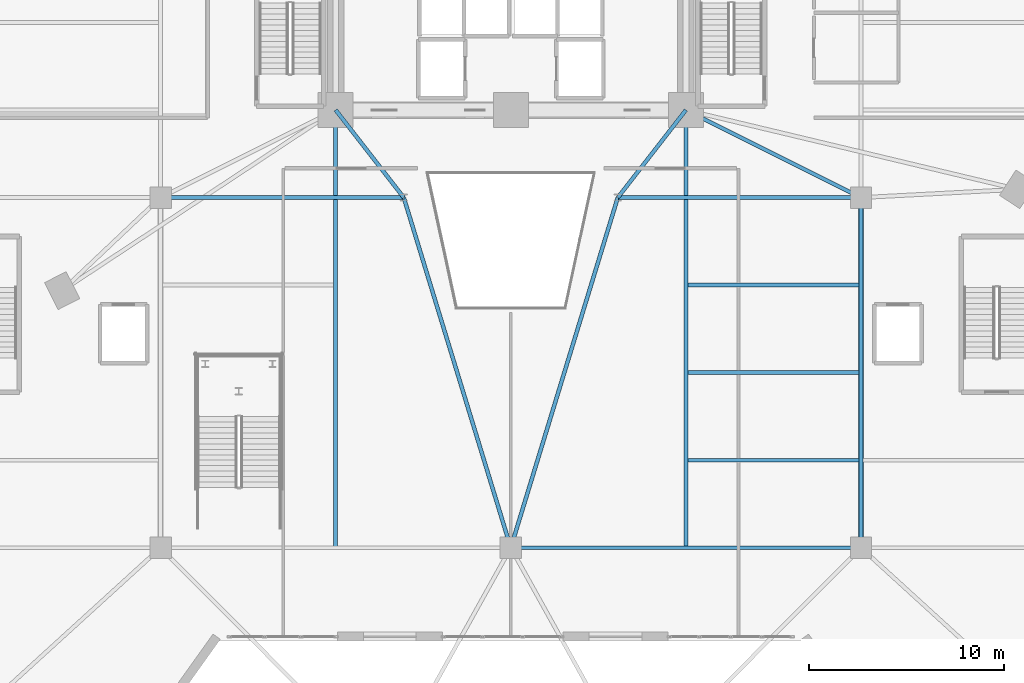
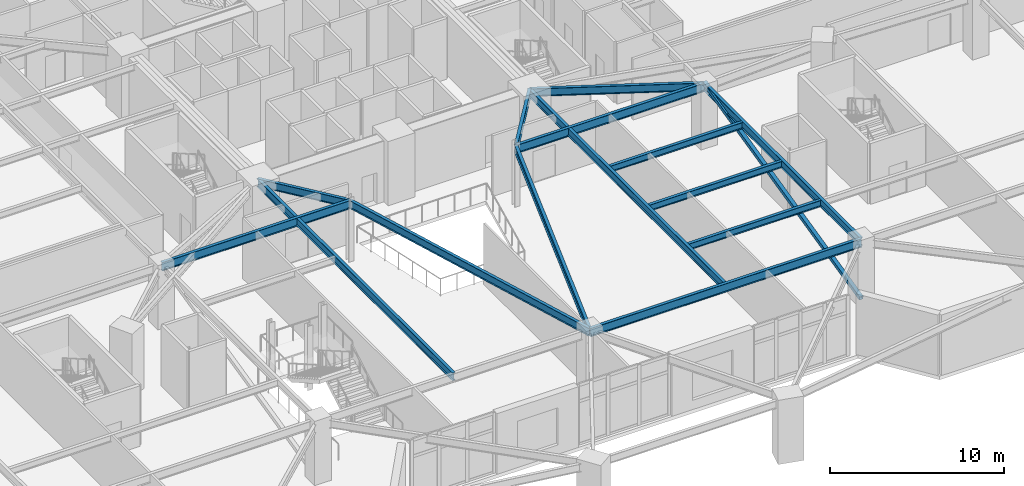
# One storey, part 11 of 29: 14 beams, 1 member.
"""IFC4 building model written with IfcOpenShell, lengths in metres."""

from ifc_helpers import new_model, si_unit, direction, frame, origin, origin_2d, place, context, subcontext, project, spatial, hollow_rectangle, i_section, extrude, source, transform, mapped, material, material_profile, profile_set, type_object, element, save


model = new_model("IFC4")

# Units and contexts
model_context = context("Model", 3, precision=1e-05, world=origin(), true_north=direction((0.0, 1.0)))
body_context = subcontext(model_context, "Body", "Model", "MODEL_VIEW")
ifc_project = project(units=[si_unit("LENGTHUNIT", "METRE"), si_unit("AREAUNIT", "SQUARE_METRE"), si_unit("VOLUMEUNIT", "CUBIC_METRE"), si_unit("PLANEANGLEUNIT", "RADIAN"), si_unit("MASSUNIT", "GRAM", prefix="KILO")], contexts=[model_context])

# Site, building, storey
site_placement = place(None, origin())
site = spatial("IfcSite", under=ifc_project, at=site_placement, CompositionType="ELEMENT")
building_placement = place(site_placement, origin())
building = spatial("IfcBuilding", under=site, at=building_placement, Name="Liaohun Quay Tower", CompositionType="ELEMENT")
storey_placement = place(building_placement, frame((0.0, 0.0, 5.39990234375)))
storey = spatial("IfcBuildingStorey", under=building, at=storey_placement, Name="L02", CompositionType="ELEMENT", Elevation=5.39990234375)

# Beams
ifc_material = material(Name="Steel Q355D", Category="steel")
ifc_material_profile_1 = material_profile(ifc_material, i_section(OverallWidth=0.199951171875, OverallDepth=0.449951171875, WebThickness=0.009033203125, FlangeThickness=0.013916015625, at=origin_2d()), Name="HN450x200x9x14")
ifc_profile_set_1 = profile_set([ifc_material_profile_1], Name="Steel Q355D")
beam_type_1 = type_object("IfcBeamType", Name="BM-SEC-J1", PredefinedType="JOIST", material=ifc_profile_set_1)
shared_shape_1 = source(origin(), body_context, "Body", "SweptSolid", [
    extrude(i_section(OverallWidth=0.199951171875, OverallDepth=0.449951171875, WebThickness=0.009033203125, FlangeThickness=0.013916015625, at=origin_2d()), origin(), (0.0, 0.0, 1.0), 8.7998046875),
])
for number, where, z_axis, x_axis, name in (
    (1, (69.10009765625, 28.5, 4.025146484375), (1.0, 0.0, 0.0), (0.0, 1.0, 0.0), "L02 Composite Floor Joist SJ-23"),
    (2, (69.10009765625, 33.0, 4.025146484375), (1.0, 0.0, 0.0), (0.0, 1.0, 0.0), "L02 Composite Floor Joist SJ-24"),
    (3, (69.10009765625, 37.5, 4.025146484375), (1.0, 0.0, 0.0), (0.0, 1.0, 0.0), "L02 Composite Floor Joist SJ-25"),
):
    element("IfcBeam", number, at=place(storey_placement, frame(where, z_axis=z_axis, x_axis=x_axis)), inside=storey, type_object=beam_type_1, Name=name, PredefinedType="JOIST", context=body_context, shape_type="MappedRepresentation", body=[
        mapped(shared_shape_1, transform((0.0, 0.0, 0.0), x_axis=(1.0, 0.0, 0.0), y_axis=(0.0, 1.0, 0.0), z_axis=(0.0, 0.0, 1.0), scale=1.0)),
    ])
ifc_material_profile_2 = material_profile(ifc_material, i_section(OverallWidth=0.199951171875, OverallDepth=0.60009765625, WebThickness=0.010986328125, FlangeThickness=0.01708984375, at=origin_2d()), Name="HN600x200x11x17")
ifc_profile_set_2 = profile_set([ifc_material_profile_2], Name="Steel Q355D")
beam_type_2 = type_object("IfcBeamType", Name="BM-POD-G1", PredefinedType="BEAM", material=ifc_profile_set_2)
shared_shape_2 = source(origin(), body_context, "Body", "SweptSolid", [
    extrude(i_section(OverallWidth=0.199951171875, OverallDepth=0.60009765625, WebThickness=0.010986328125, FlangeThickness=0.01708984375, at=origin_2d()), origin(), (0.0, 0.0, 1.0), 18.0),
])
beam_1_placement = place(storey_placement, frame((60.0, 24.0, 3.9501953125), z_axis=(1.0, 0.0, 0.0), x_axis=(0.0, 1.0, 0.0)))
element("IfcBeam", 4, at=beam_1_placement, inside=storey, type_object=beam_type_2, Name="L02 Primary Grid Girder PG03-PG04", PredefinedType="BEAM", context=body_context, shape_type="MappedRepresentation", body=[
    mapped(shared_shape_2, transform((0.0, 0.0, 0.0), x_axis=(1.0, 0.0, 0.0), y_axis=(0.0, 1.0, 0.0), z_axis=(0.0, 0.0, 1.0), scale=1.0)),
])
shared_shape_3 = source(origin(), body_context, "Body", "SweptSolid", [
    extrude(i_section(OverallWidth=0.199951171875, OverallDepth=0.60009765625, WebThickness=0.010986328125, FlangeThickness=0.01708984375, at=origin_2d()), origin(), (0.0, 0.0, 1.0), 12.5),
])
for number, where, z_axis, x_axis, name in (
    (5, (42.0, 42.0, 3.9501953125), (1.0, 0.0, 0.0), (0.0, 1.0, 0.0), "L02 Primary Grid Girder PG07-AT1"),
    (6, (65.5, 42.0, 3.9501953125), (1.0, 0.0, 0.0), (0.0, 1.0, 0.0), "L02 Primary Grid Girder AT2-PG08"),
):
    element("IfcBeam", number, at=place(storey_placement, frame(where, z_axis=z_axis, x_axis=x_axis)), inside=storey, type_object=beam_type_2, Name=name, PredefinedType="BEAM", context=body_context, shape_type="MappedRepresentation", body=[
        mapped(shared_shape_3, transform((0.0, 0.0, 0.0), x_axis=(1.0, 0.0, 0.0), y_axis=(0.0, 1.0, 0.0), z_axis=(0.0, 0.0, 1.0), scale=1.0)),
    ])
ifc_material_profile_3 = material_profile(ifc_material, i_section(OverallWidth=0.199951171875, OverallDepth=0.550048828125, WebThickness=0.010009765625, FlangeThickness=0.01611328125, at=origin_2d()), Name="HN550x200x10x16")
ifc_profile_set_3 = profile_set([ifc_material_profile_3], Name="Steel Q355D")
beam_type_3 = type_object("IfcBeamType", Name="BM-POD-G2", PredefinedType="BEAM", material=ifc_profile_set_3)
shared_shape_4 = source(origin(), body_context, "Body", "SweptSolid", [
    extrude(i_section(OverallWidth=0.199951171875, OverallDepth=0.550048828125, WebThickness=0.010009765625, FlangeThickness=0.01611328125, at=origin_2d()), origin(), (0.0, 0.0, 1.0), 18.0),
])
beam_2_placement = place(storey_placement, frame((78.0, 24.0, 3.97509765625), z_axis=(0.0, 1.0, 0.0), x_axis=(-1.0, 0.0, 0.0)))
element("IfcBeam", 7, at=beam_2_placement, inside=storey, type_object=beam_type_3, Name="L02 Primary Grid Girder PG04-PG08", PredefinedType="BEAM", context=body_context, shape_type="MappedRepresentation", body=[
    mapped(shared_shape_4, transform((0.0, 0.0, 0.0), x_axis=(1.0, 0.0, 0.0), y_axis=(0.0, 1.0, 0.0), z_axis=(0.0, 0.0, 1.0), scale=1.0)),
])
shared_shape_5 = source(origin(), body_context, "Body", "SweptSolid", [
    extrude(i_section(OverallWidth=0.199951171875, OverallDepth=0.550048828125, WebThickness=0.010009765625, FlangeThickness=0.01611328125, at=origin_2d()), origin(), (0.0, 0.0, 1.0), 10.062255859375),
])
beam_3_placement = place(storey_placement, frame((78.0, 42.0, 3.97509765625), z_axis=(-0.894427191, 0.4472135955, 0.0), x_axis=(-0.4472135955, -0.894427191, 0.0)))
element("IfcBeam", 8, at=beam_3_placement, inside=storey, type_object=beam_type_3, Name="L02 Primary Grid Girder PG08-CC3", PredefinedType="BEAM", context=body_context, shape_type="MappedRepresentation", body=[
    mapped(shared_shape_5, transform((0.0, 0.0, 0.0), x_axis=(1.0, 0.0, 0.0), y_axis=(0.0, 1.0, 0.0), z_axis=(0.0, 0.0, 1.0), scale=1.0)),
])
shared_shape_6 = source(origin(), body_context, "Body", "SweptSolid", [
    extrude(i_section(OverallWidth=0.199951171875, OverallDepth=0.550048828125, WebThickness=0.010009765625, FlangeThickness=0.01611328125, at=origin_2d()), origin(), (0.0, 0.0, 1.0), 18.821533203125),
])
for number, where, z_axis, x_axis, name in (
    (9, (60.0, 24.0, 3.97509765625), (-0.292218535599, 0.956351571051, 0.0), (-0.956351571051, -0.292218535599, 0.0), "L02 Primary Grid Girder PG03-AT1"),
    (10, (60.0, 24.0, 3.97509765625), (0.292218535599, 0.956351571051, 0.0), (-0.956351571051, 0.292218535599, 0.0), "L02 Primary Grid Girder PG03-AT2"),
):
    element("IfcBeam", number, at=place(storey_placement, frame(where, z_axis=z_axis, x_axis=x_axis)), inside=storey, type_object=beam_type_3, Name=name, PredefinedType="BEAM", context=body_context, shape_type="MappedRepresentation", body=[
        mapped(shared_shape_6, transform((0.0, 0.0, 0.0), x_axis=(1.0, 0.0, 0.0), y_axis=(0.0, 1.0, 0.0), z_axis=(0.0, 0.0, 1.0), scale=1.0)),
    ])
shared_shape_7 = source(origin(), body_context, "Body", "SweptSolid", [
    extrude(i_section(OverallWidth=0.199951171875, OverallDepth=0.550048828125, WebThickness=0.010009765625, FlangeThickness=0.01611328125, at=origin_2d()), origin(), (0.0, 0.0, 1.0), 5.700927734375),
])
for number, where, z_axis, x_axis, name in (
    (11, (54.5, 42.0, 3.97509765625), (-0.613940613515, 0.789352217376, 0.0), (-0.789352217376, -0.613940613515, 0.0), "L02 Primary Grid Girder AT1-CC1"),
    (12, (65.5, 42.0, 3.97509765625), (0.613940613515, 0.789352217376, 0.0), (-0.789352217376, 0.613940613515, 0.0), "L02 Primary Grid Girder AT2-CC3"),
):
    element("IfcBeam", number, at=place(storey_placement, frame(where, z_axis=z_axis, x_axis=x_axis)), inside=storey, type_object=beam_type_3, Name=name, PredefinedType="BEAM", context=body_context, shape_type="MappedRepresentation", body=[
        mapped(shared_shape_7, transform((0.0, 0.0, 0.0), x_axis=(1.0, 0.0, 0.0), y_axis=(0.0, 1.0, 0.0), z_axis=(0.0, 0.0, 1.0), scale=1.0)),
    ])
shared_shape_8 = source(origin(), body_context, "Body", "SweptSolid", [
    extrude(i_section(OverallWidth=0.199951171875, OverallDepth=0.550048828125, WebThickness=0.010009765625, FlangeThickness=0.01611328125, at=origin_2d()), origin(), (0.0, 0.0, 1.0), 22.5),
])
for number, where, z_axis, x_axis, name in (
    (13, (51.0, 24.0, 3.97509765625), (0.0, 1.0, 0.0), (-1.0, 0.0, 0.0), "L02 Spine Girder X51-S"),
    (14, (69.0, 24.0, 3.97509765625), (0.0, 1.0, 0.0), (-1.0, 0.0, 0.0), "L02 Spine Girder X69-S"),
):
    element("IfcBeam", number, at=place(storey_placement, frame(where, z_axis=z_axis, x_axis=x_axis)), inside=storey, type_object=beam_type_3, Name=name, PredefinedType="BEAM", context=body_context, shape_type="MappedRepresentation", body=[
        mapped(shared_shape_8, transform((0.0, 0.0, 0.0), x_axis=(1.0, 0.0, 0.0), y_axis=(0.0, 1.0, 0.0), z_axis=(0.0, 0.0, 1.0), scale=1.0)),
    ])

# Member
ifc_material_profile_4 = material_profile(ifc_material, hollow_rectangle(XDim=0.25, YDim=0.25, WallThickness=0.011962890625, at=origin_2d()), Name="SHS250x250x12")
ifc_profile_set_4 = profile_set([ifc_material_profile_4], Name="Steel Q355D")
member_type = type_object("IfcMemberType", Name="MEM-ATR-STR", PredefinedType="STRINGER", material=ifc_profile_set_4)
shared_shape_9 = source(origin(), body_context, "Body", "SweptSolid", [
    extrude(hollow_rectangle(XDim=0.25, YDim=0.25, WallThickness=0.011962890625, at=origin_2d()), origin(), (0.0, 0.0, 1.0), 18.48583984375),
])
member_placement = place(storey_placement, frame((78.0, 24.0, 0.02001953125), z_axis=(0.0, 0.973721837383, 0.227740605521), x_axis=(-1.0, 0.0, 0.0)))
element("IfcMember", 15, at=member_placement, inside=storey, type_object=member_type, Name="L02 Atrium Gallery Raking Stringer Tie AS-1-2", PredefinedType="STRINGER", context=body_context, shape_type="MappedRepresentation", body=[
    mapped(shared_shape_9, transform((0.0, 0.0, 0.0), x_axis=(1.0, 0.0, 0.0), y_axis=(0.0, 1.0, 0.0), z_axis=(0.0, 0.0, 1.0), scale=1.0)),
])

save(model, "model.ifc")
